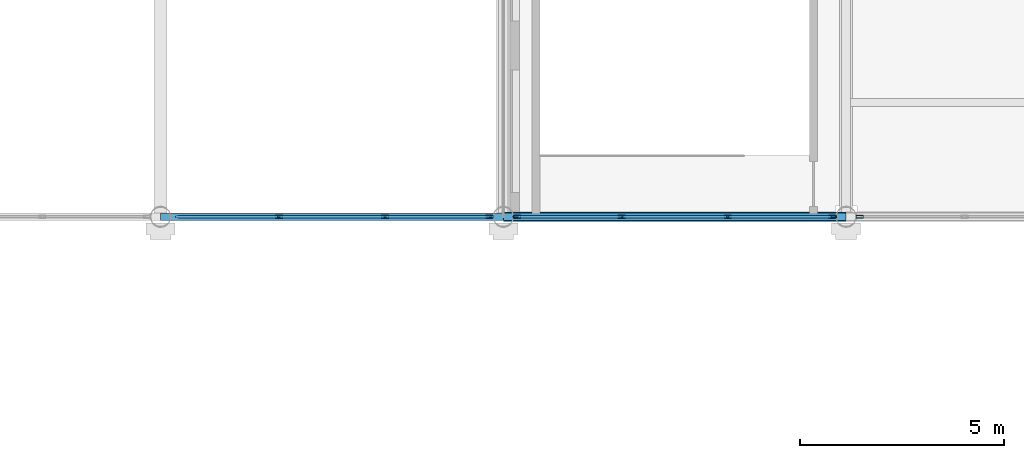
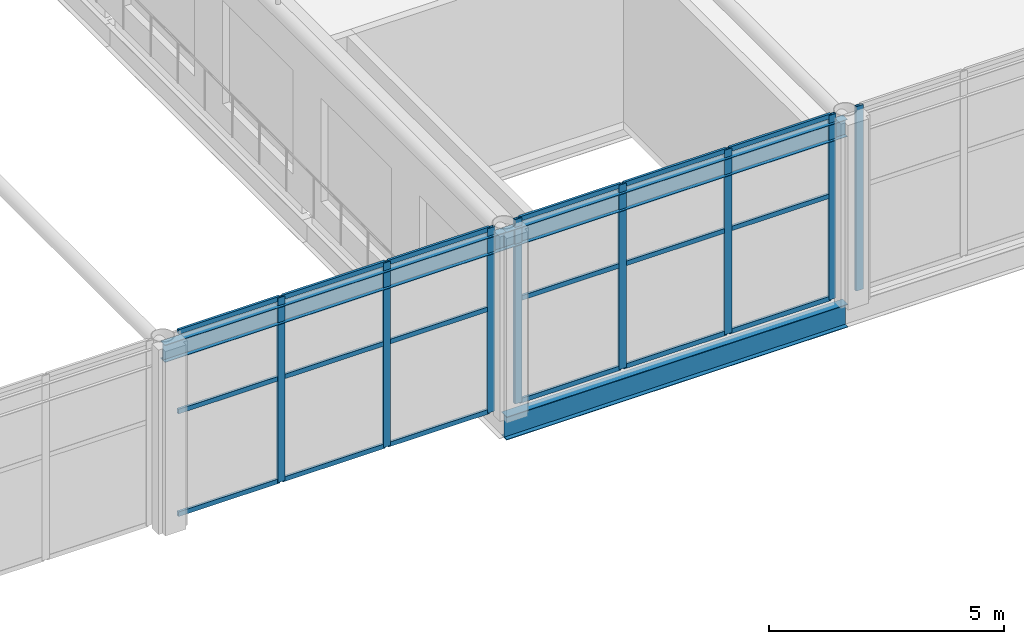
# One storey, part 24 of 167: 26 members, 3 beams, 3 elements without a shape of their own.
"""IFC4 building model written with IfcOpenShell, lengths in metres."""

from ifc_helpers import new_model, si_unit, direction, frame, origin, origin_2d, place, context, subcontext, project, spatial, hollow_rectangle, i_section, extrude, material, material_profile, profile_set, type_object, element, aggregate, save


model = new_model("IFC4")

# Units and contexts
model_context = context("Model", 3, precision=1e-05, world=origin(), true_north=direction((0.0, 1.0)))
body_context = subcontext(model_context, "Body", "Model", "MODEL_VIEW")
ifc_project = project(units=[si_unit("LENGTHUNIT", "METRE"), si_unit("AREAUNIT", "SQUARE_METRE"), si_unit("VOLUMEUNIT", "CUBIC_METRE"), si_unit("PLANEANGLEUNIT", "RADIAN"), si_unit("MASSUNIT", "GRAM", prefix="KILO")], contexts=[model_context])

# Site, building, storey
site_placement = place(None, origin())
site = spatial("IfcSite", under=ifc_project, at=site_placement, CompositionType="ELEMENT")
building_placement = place(site_placement, origin())
building = spatial("IfcBuilding", under=site, at=building_placement, Name="Catenary Quay Ferry Terminal", CompositionType="ELEMENT")
storey_placement = place(building_placement, frame((0.0, 0.0, 6.0)))
storey = spatial("IfcBuildingStorey", under=building, at=storey_placement, Name="L01", CompositionType="ELEMENT", Elevation=6.0)

# Beams
ifc_material_1 = material(Name="Steel S355", Category="steel")
ifc_material_profile_1 = material_profile(ifc_material_1, i_section(OverallWidth=0.18994140625, OverallDepth=0.453369140625, WebThickness=0.008544921875, FlangeThickness=0.0126953125, at=origin_2d()), Name="UB 457x191x67")
ifc_profile_set_1 = profile_set([ifc_material_profile_1], Name="Steel S355")
beam_type_1 = type_object("IfcBeamType", Name="B1 UB 457x191x67", PredefinedType="BEAM", material=ifc_profile_set_1)
beam_1_placement = place(storey_placement, frame((50.39990234375, 67.199951171875, 4.373046875), z_axis=(1.0, 0.0, 0.0), x_axis=(0.0, 1.0, 0.0)))
element("IfcBeam", 1, at=beam_1_placement, inside=storey, type_object=beam_type_1, Name="Beam B1-004", PredefinedType="BEAM", context=body_context, shape_type="SweptSolid", body=[
    extrude(i_section(OverallWidth=0.18994140625, OverallDepth=0.453369140625, WebThickness=0.008544921875, FlangeThickness=0.0126953125, at=origin_2d()), origin(), (0.0, 0.0, 1.0), 8.400146484375),
])
beam_2_placement = place(storey_placement, frame((58.800048828125, 67.199951171875, 4.373046875), z_axis=(1.0, 0.0, 0.0), x_axis=(0.0, 1.0, 0.0)))
element("IfcBeam", 2, at=beam_2_placement, inside=storey, type_object=beam_type_1, Name="Beam B1-005", PredefinedType="BEAM", context=body_context, shape_type="SweptSolid", body=[
    extrude(i_section(OverallWidth=0.18994140625, OverallDepth=0.453369140625, WebThickness=0.008544921875, FlangeThickness=0.0126953125, at=origin_2d()), origin(), (0.0, 0.0, 1.0), 8.39990234375),
])
ifc_material_2 = material(Name="Steel S355", Category="steel")
ifc_material_profile_2 = material_profile(ifc_material_2, i_section(OverallWidth=0.2275390625, OverallDepth=0.6025390625, WebThickness=0.010498046875, FlangeThickness=0.014892578125, at=origin_2d()), Name="UB 610x229x101")
ifc_profile_set_2 = profile_set([ifc_material_profile_2], Name="Steel S355")
beam_type_2 = type_object("IfcBeamType", Name="B3 UB 610x229x101", PredefinedType="BEAM", material=ifc_profile_set_2)
beam_3_placement = place(storey_placement, frame((58.800048828125, 67.199951171875, -0.5009765625), z_axis=(1.0, 0.0, 0.0), x_axis=(0.0, 1.0, 0.0)))
element("IfcBeam", 3, at=beam_3_placement, inside=storey, type_object=beam_type_2, Name="Beam B3-001", PredefinedType="BEAM", context=body_context, shape_type="SweptSolid", body=[
    extrude(i_section(OverallWidth=0.2275390625, OverallDepth=0.6025390625, WebThickness=0.010498046875, FlangeThickness=0.014892578125, at=origin_2d()), origin(), (0.0, 0.0, 1.0), 8.39990234375),
])

# Curtain wall, members
ifc_material_3 = material(Name="Aluminium and glass", Category="aluminium")
curtain_wall_type = type_object("IfcCurtainWallType", Name="CWH", PredefinedType="NOTDEFINED", material=ifc_material_3)
curtain_wall_1_placement = place(storey_placement, origin())
curtain_wall_1 = element("IfcCurtainWall", 4, at=curtain_wall_1_placement, inside=storey, type_object=curtain_wall_type, Name="Hall curtain wall CW35", PredefinedType="NOTDEFINED")
ifc_material_4 = material(Name="Aluminium", Category="aluminium")
ifc_material_profile_3 = material_profile(ifc_material_4, hollow_rectangle(XDim=0.070068359375, YDim=0.179931640625, WallThickness=0.006103515625, at=origin_2d()), Name="MU3")
ifc_profile_set_3 = profile_set([ifc_material_profile_3], Name="Aluminium")
member_type_1 = type_object("IfcMemberType", Name="MU3", PredefinedType="MULLION", material=ifc_profile_set_3)
member_1_placement = place(storey_placement, frame((53.300048828125, 67.199951171875, 0.0), z_axis=(0.0, 0.0, 1.0), x_axis=(0.0, 1.0, 0.0)))
member_1 = element("IfcMember", 5, at=member_1_placement, type_object=member_type_1, Name="CW35 mullion 2", PredefinedType="MULLION", context=body_context, shape_type="SweptSolid", body=[
    extrude(hollow_rectangle(XDim=0.070068359375, YDim=0.179931640625, WallThickness=0.006103515625, at=origin_2d()), origin(), (0.0, 0.0, 1.0), 4.800048828125),
])
member_2_placement = place(storey_placement, frame((55.89990234375, 67.199951171875, 0.0), z_axis=(0.0, 0.0, 1.0), x_axis=(0.0, 1.0, 0.0)))
member_2 = element("IfcMember", 6, at=member_2_placement, type_object=member_type_1, Name="CW35 mullion 3", PredefinedType="MULLION", context=body_context, shape_type="SweptSolid", body=[
    extrude(hollow_rectangle(XDim=0.070068359375, YDim=0.179931640625, WallThickness=0.006103515625, at=origin_2d()), origin(), (0.0, 0.0, 1.0), 4.800048828125),
])
member_3_placement = place(storey_placement, frame((58.465087890625, 67.199951171875, 0.0), z_axis=(0.0, 0.0, 1.0), x_axis=(0.0, 1.0, 0.0)))
member_3 = element("IfcMember", 7, at=member_3_placement, type_object=member_type_1, Name="CW35 mullion 4", PredefinedType="MULLION", context=body_context, shape_type="SweptSolid", body=[
    extrude(hollow_rectangle(XDim=0.070068359375, YDim=0.179931640625, WallThickness=0.006103515625, at=origin_2d()), origin(), (0.0, 0.0, 1.0), 4.800048828125),
])

curtain_wall_2_placement = place(storey_placement, origin())
curtain_wall_2 = element("IfcCurtainWall", 8, at=curtain_wall_2_placement, inside=storey, type_object=curtain_wall_type, Name="Hall curtain wall CW36", PredefinedType="NOTDEFINED")
member_4_placement = place(storey_placement, frame((59.135009765625, 67.199951171875, 0.0), z_axis=(0.0, 0.0, 1.0), x_axis=(0.0, 1.0, 0.0)))
member_4 = element("IfcMember", 9, at=member_4_placement, type_object=member_type_1, Name="CW36 mullion 1", PredefinedType="MULLION", context=body_context, shape_type="SweptSolid", body=[
    extrude(hollow_rectangle(XDim=0.070068359375, YDim=0.179931640625, WallThickness=0.006103515625, at=origin_2d()), origin(), (0.0, 0.0, 1.0), 4.800048828125),
])
member_5_placement = place(storey_placement, frame((61.699951171875, 67.199951171875, 0.0), z_axis=(0.0, 0.0, 1.0), x_axis=(0.0, 1.0, 0.0)))
member_5 = element("IfcMember", 10, at=member_5_placement, type_object=member_type_1, Name="CW36 mullion 2", PredefinedType="MULLION", context=body_context, shape_type="SweptSolid", body=[
    extrude(hollow_rectangle(XDim=0.070068359375, YDim=0.179931640625, WallThickness=0.006103515625, at=origin_2d()), origin(), (0.0, 0.0, 1.0), 4.800048828125),
])
member_6_placement = place(storey_placement, frame((64.300048828125, 67.199951171875, 0.0), z_axis=(0.0, 0.0, 1.0), x_axis=(0.0, 1.0, 0.0)))
member_6 = element("IfcMember", 11, at=member_6_placement, type_object=member_type_1, Name="CW36 mullion 3", PredefinedType="MULLION", context=body_context, shape_type="SweptSolid", body=[
    extrude(hollow_rectangle(XDim=0.070068359375, YDim=0.179931640625, WallThickness=0.006103515625, at=origin_2d()), origin(), (0.0, 0.0, 1.0), 4.800048828125),
])
member_7_placement = place(storey_placement, frame((66.864990234375, 67.199951171875, 0.0), z_axis=(0.0, 0.0, 1.0), x_axis=(0.0, 1.0, 0.0)))
member_7 = element("IfcMember", 12, at=member_7_placement, type_object=member_type_1, Name="CW36 mullion 4", PredefinedType="MULLION", context=body_context, shape_type="SweptSolid", body=[
    extrude(hollow_rectangle(XDim=0.070068359375, YDim=0.179931640625, WallThickness=0.006103515625, at=origin_2d()), origin(), (0.0, 0.0, 1.0), 4.800048828125),
])

# Curtain wall, member
curtain_wall_3_placement = place(storey_placement, origin())
curtain_wall_3 = element("IfcCurtainWall", 13, at=curtain_wall_3_placement, inside=storey, type_object=curtain_wall_type, Name="Hall curtain wall CW37", PredefinedType="NOTDEFINED")
member_8_placement = place(storey_placement, frame((67.534912109375, 67.199951171875, 0.0), z_axis=(0.0, 0.0, 1.0), x_axis=(0.0, 1.0, 0.0)))
member_8 = element("IfcMember", 14, at=member_8_placement, type_object=member_type_1, Name="CW37 mullion 1", PredefinedType="MULLION", context=body_context, shape_type="SweptSolid", body=[
    extrude(hollow_rectangle(XDim=0.070068359375, YDim=0.179931640625, WallThickness=0.006103515625, at=origin_2d()), origin(), (0.0, 0.0, 1.0), 4.800048828125),
])
aggregate(curtain_wall_3, [member_8])

# Member
ifc_material_5 = material(Name="Aluminium", Category="aluminium")
ifc_material_profile_4 = material_profile(ifc_material_5, hollow_rectangle(XDim=0.06005859375, YDim=0.1201171875, WallThickness=0.0048828125, at=origin_2d()), Name="TR3")
ifc_profile_set_4 = profile_set([ifc_material_profile_4], Name="Aluminium")
member_type_2 = type_object("IfcMemberType", Name="TR3", PredefinedType="USERDEFINED", material=ifc_profile_set_4)
member_9_placement = place(storey_placement, frame((50.77001953125, 67.199951171875, 0.030029296875), z_axis=(1.0, 0.0, 0.0), x_axis=(0.0, 1.0, 0.0)))
member_9 = element("IfcMember", 15, at=member_9_placement, type_object=member_type_2, Name="CW35 transom 1.1", ObjectType="TRANSOM", PredefinedType="USERDEFINED", context=body_context, shape_type="SweptSolid", body=[
    extrude(hollow_rectangle(XDim=0.06005859375, YDim=0.1201171875, WallThickness=0.0048828125, at=origin_2d()), origin(), (0.0, 0.0, 1.0), 2.494873046875),
])

member_10_placement = place(storey_placement, frame((50.77001953125, 67.199951171875, 2.699951171875), z_axis=(1.0, 0.0, 0.0), x_axis=(0.0, 1.0, 0.0)))
member_10 = element("IfcMember", 16, at=member_10_placement, type_object=member_type_2, Name="CW35 transom 1.2", ObjectType="TRANSOM", PredefinedType="USERDEFINED", context=body_context, shape_type="SweptSolid", body=[
    extrude(hollow_rectangle(XDim=0.06005859375, YDim=0.1201171875, WallThickness=0.0048828125, at=origin_2d()), origin(), (0.0, 0.0, 1.0), 2.494873046875),
])

member_11_placement = place(storey_placement, frame((50.77001953125, 67.199951171875, 4.77001953125), z_axis=(1.0, 0.0, 0.0), x_axis=(0.0, 1.0, 0.0)))
member_11 = element("IfcMember", 17, at=member_11_placement, type_object=member_type_2, Name="CW35 transom 1.3", ObjectType="TRANSOM", PredefinedType="USERDEFINED", context=body_context, shape_type="SweptSolid", body=[
    extrude(hollow_rectangle(XDim=0.06005859375, YDim=0.1201171875, WallThickness=0.0048828125, at=origin_2d()), origin(), (0.0, 0.0, 1.0), 2.494873046875),
])

member_12_placement = place(storey_placement, frame((53.3349609375, 67.199951171875, 0.030029296875), z_axis=(1.0, 0.0, 0.0), x_axis=(0.0, 1.0, 0.0)))
member_12 = element("IfcMember", 18, at=member_12_placement, type_object=member_type_2, Name="CW35 transom 2.1", ObjectType="TRANSOM", PredefinedType="USERDEFINED", context=body_context, shape_type="SweptSolid", body=[
    extrude(hollow_rectangle(XDim=0.06005859375, YDim=0.1201171875, WallThickness=0.0048828125, at=origin_2d()), origin(), (0.0, 0.0, 1.0), 2.530029296875),
])

member_13_placement = place(storey_placement, frame((53.3349609375, 67.199951171875, 2.699951171875), z_axis=(1.0, 0.0, 0.0), x_axis=(0.0, 1.0, 0.0)))
member_13 = element("IfcMember", 19, at=member_13_placement, type_object=member_type_2, Name="CW35 transom 2.2", ObjectType="TRANSOM", PredefinedType="USERDEFINED", context=body_context, shape_type="SweptSolid", body=[
    extrude(hollow_rectangle(XDim=0.06005859375, YDim=0.1201171875, WallThickness=0.0048828125, at=origin_2d()), origin(), (0.0, 0.0, 1.0), 2.530029296875),
])

member_14_placement = place(storey_placement, frame((53.3349609375, 67.199951171875, 4.77001953125), z_axis=(1.0, 0.0, 0.0), x_axis=(0.0, 1.0, 0.0)))
member_14 = element("IfcMember", 20, at=member_14_placement, type_object=member_type_2, Name="CW35 transom 2.3", ObjectType="TRANSOM", PredefinedType="USERDEFINED", context=body_context, shape_type="SweptSolid", body=[
    extrude(hollow_rectangle(XDim=0.06005859375, YDim=0.1201171875, WallThickness=0.0048828125, at=origin_2d()), origin(), (0.0, 0.0, 1.0), 2.530029296875),
])

member_15_placement = place(storey_placement, frame((55.93505859375, 67.199951171875, 0.030029296875), z_axis=(1.0, 0.0, 0.0), x_axis=(0.0, 1.0, 0.0)))
member_15 = element("IfcMember", 21, at=member_15_placement, type_object=member_type_2, Name="CW35 transom 3.1", ObjectType="TRANSOM", PredefinedType="USERDEFINED", context=body_context, shape_type="SweptSolid", body=[
    extrude(hollow_rectangle(XDim=0.06005859375, YDim=0.1201171875, WallThickness=0.0048828125, at=origin_2d()), origin(), (0.0, 0.0, 1.0), 2.494873046875),
])

member_16_placement = place(storey_placement, frame((55.93505859375, 67.199951171875, 2.699951171875), z_axis=(1.0, 0.0, 0.0), x_axis=(0.0, 1.0, 0.0)))
member_16 = element("IfcMember", 22, at=member_16_placement, type_object=member_type_2, Name="CW35 transom 3.2", ObjectType="TRANSOM", PredefinedType="USERDEFINED", context=body_context, shape_type="SweptSolid", body=[
    extrude(hollow_rectangle(XDim=0.06005859375, YDim=0.1201171875, WallThickness=0.0048828125, at=origin_2d()), origin(), (0.0, 0.0, 1.0), 2.494873046875),
])

member_17_placement = place(storey_placement, frame((55.93505859375, 67.199951171875, 4.77001953125), z_axis=(1.0, 0.0, 0.0), x_axis=(0.0, 1.0, 0.0)))
member_17 = element("IfcMember", 23, at=member_17_placement, type_object=member_type_2, Name="CW35 transom 3.3", ObjectType="TRANSOM", PredefinedType="USERDEFINED", context=body_context, shape_type="SweptSolid", body=[
    extrude(hollow_rectangle(XDim=0.06005859375, YDim=0.1201171875, WallThickness=0.0048828125, at=origin_2d()), origin(), (0.0, 0.0, 1.0), 2.494873046875),
])

aggregate(curtain_wall_1, [member_1, member_2, member_3, member_9, member_10, member_11, member_12, member_13, member_14, member_15, member_16, member_17])

member_18_placement = place(storey_placement, frame((59.169921875, 67.199951171875, 0.030029296875), z_axis=(1.0, 0.0, 0.0), x_axis=(0.0, 1.0, 0.0)))
member_18 = element("IfcMember", 24, at=member_18_placement, type_object=member_type_2, Name="CW36 transom 1.1", ObjectType="TRANSOM", PredefinedType="USERDEFINED", context=body_context, shape_type="SweptSolid", body=[
    extrude(hollow_rectangle(XDim=0.06005859375, YDim=0.1201171875, WallThickness=0.0048828125, at=origin_2d()), origin(), (0.0, 0.0, 1.0), 2.4951171875),
])

member_19_placement = place(storey_placement, frame((59.169921875, 67.199951171875, 2.699951171875), z_axis=(1.0, 0.0, 0.0), x_axis=(0.0, 1.0, 0.0)))
member_19 = element("IfcMember", 25, at=member_19_placement, type_object=member_type_2, Name="CW36 transom 1.2", ObjectType="TRANSOM", PredefinedType="USERDEFINED", context=body_context, shape_type="SweptSolid", body=[
    extrude(hollow_rectangle(XDim=0.06005859375, YDim=0.1201171875, WallThickness=0.0048828125, at=origin_2d()), origin(), (0.0, 0.0, 1.0), 2.4951171875),
])

member_20_placement = place(storey_placement, frame((59.169921875, 67.199951171875, 4.77001953125), z_axis=(1.0, 0.0, 0.0), x_axis=(0.0, 1.0, 0.0)))
member_20 = element("IfcMember", 26, at=member_20_placement, type_object=member_type_2, Name="CW36 transom 1.3", ObjectType="TRANSOM", PredefinedType="USERDEFINED", context=body_context, shape_type="SweptSolid", body=[
    extrude(hollow_rectangle(XDim=0.06005859375, YDim=0.1201171875, WallThickness=0.0048828125, at=origin_2d()), origin(), (0.0, 0.0, 1.0), 2.4951171875),
])

member_21_placement = place(storey_placement, frame((61.735107421875, 67.199951171875, 0.030029296875), z_axis=(1.0, 0.0, 0.0), x_axis=(0.0, 1.0, 0.0)))
member_21 = element("IfcMember", 27, at=member_21_placement, type_object=member_type_2, Name="CW36 transom 2.1", ObjectType="TRANSOM", PredefinedType="USERDEFINED", context=body_context, shape_type="SweptSolid", body=[
    extrude(hollow_rectangle(XDim=0.06005859375, YDim=0.1201171875, WallThickness=0.0048828125, at=origin_2d()), origin(), (0.0, 0.0, 1.0), 2.52978515625),
])

member_22_placement = place(storey_placement, frame((61.735107421875, 67.199951171875, 2.699951171875), z_axis=(1.0, 0.0, 0.0), x_axis=(0.0, 1.0, 0.0)))
member_22 = element("IfcMember", 28, at=member_22_placement, type_object=member_type_2, Name="CW36 transom 2.2", ObjectType="TRANSOM", PredefinedType="USERDEFINED", context=body_context, shape_type="SweptSolid", body=[
    extrude(hollow_rectangle(XDim=0.06005859375, YDim=0.1201171875, WallThickness=0.0048828125, at=origin_2d()), origin(), (0.0, 0.0, 1.0), 2.52978515625),
])

member_23_placement = place(storey_placement, frame((61.735107421875, 67.199951171875, 4.77001953125), z_axis=(1.0, 0.0, 0.0), x_axis=(0.0, 1.0, 0.0)))
member_23 = element("IfcMember", 29, at=member_23_placement, type_object=member_type_2, Name="CW36 transom 2.3", ObjectType="TRANSOM", PredefinedType="USERDEFINED", context=body_context, shape_type="SweptSolid", body=[
    extrude(hollow_rectangle(XDim=0.06005859375, YDim=0.1201171875, WallThickness=0.0048828125, at=origin_2d()), origin(), (0.0, 0.0, 1.0), 2.52978515625),
])

member_24_placement = place(storey_placement, frame((64.3349609375, 67.199951171875, 0.030029296875), z_axis=(1.0, 0.0, 0.0), x_axis=(0.0, 1.0, 0.0)))
member_24 = element("IfcMember", 30, at=member_24_placement, type_object=member_type_2, Name="CW36 transom 3.1", ObjectType="TRANSOM", PredefinedType="USERDEFINED", context=body_context, shape_type="SweptSolid", body=[
    extrude(hollow_rectangle(XDim=0.06005859375, YDim=0.1201171875, WallThickness=0.0048828125, at=origin_2d()), origin(), (0.0, 0.0, 1.0), 2.4951171875),
])

member_25_placement = place(storey_placement, frame((64.3349609375, 67.199951171875, 2.699951171875), z_axis=(1.0, 0.0, 0.0), x_axis=(0.0, 1.0, 0.0)))
member_25 = element("IfcMember", 31, at=member_25_placement, type_object=member_type_2, Name="CW36 transom 3.2", ObjectType="TRANSOM", PredefinedType="USERDEFINED", context=body_context, shape_type="SweptSolid", body=[
    extrude(hollow_rectangle(XDim=0.06005859375, YDim=0.1201171875, WallThickness=0.0048828125, at=origin_2d()), origin(), (0.0, 0.0, 1.0), 2.4951171875),
])

member_26_placement = place(storey_placement, frame((64.3349609375, 67.199951171875, 4.77001953125), z_axis=(1.0, 0.0, 0.0), x_axis=(0.0, 1.0, 0.0)))
member_26 = element("IfcMember", 32, at=member_26_placement, type_object=member_type_2, Name="CW36 transom 3.3", ObjectType="TRANSOM", PredefinedType="USERDEFINED", context=body_context, shape_type="SweptSolid", body=[
    extrude(hollow_rectangle(XDim=0.06005859375, YDim=0.1201171875, WallThickness=0.0048828125, at=origin_2d()), origin(), (0.0, 0.0, 1.0), 2.4951171875),
])

aggregate(curtain_wall_2, [member_4, member_5, member_6, member_7, member_18, member_19, member_20, member_21, member_22, member_23, member_24, member_25, member_26])

save(model, "model.ifc")
